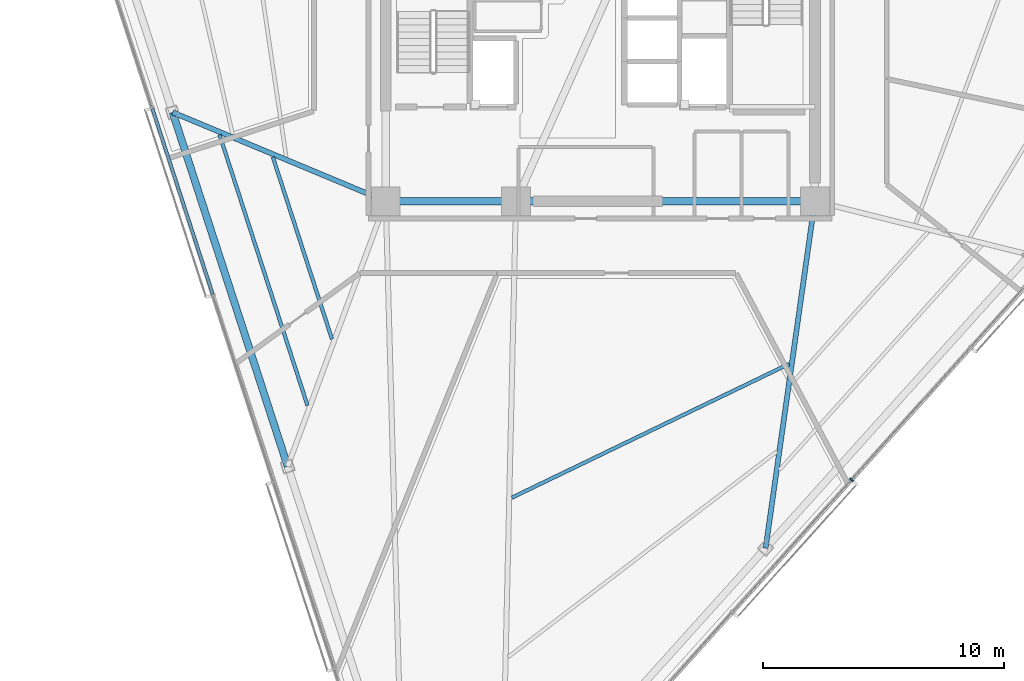
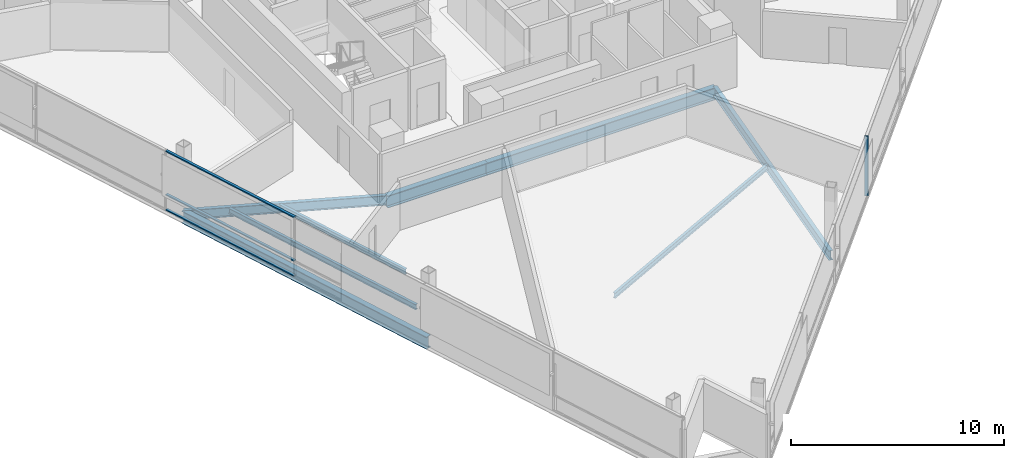
# One storey, part 3 of 17: 8 beams, 4 members, 2 elements without a shape of their own.
"""IFC4 building model written with IfcOpenShell, lengths in metres."""

from ifc_helpers import new_model, si_unit, direction, frame, origin, origin_2d, place, context, subcontext, project, spatial, rectangle, i_section, extrude, material, layer, layer_set, material_profile, profile_set, type_object, element, aggregate, save


model = new_model("IFC4")

# Units and contexts
model_context = context("Model", 3, precision=1e-05, world=origin(), true_north=direction((0.0, 1.0)))
body_context = subcontext(model_context, "Body", "Model", "MODEL_VIEW")
ifc_project = project(units=[si_unit("LENGTHUNIT", "METRE"), si_unit("AREAUNIT", "SQUARE_METRE"), si_unit("VOLUMEUNIT", "CUBIC_METRE"), si_unit("PLANEANGLEUNIT", "RADIAN"), si_unit("MASSUNIT", "GRAM", prefix="KILO")], contexts=[model_context])

# Site, building, storey
site_placement = place(None, origin())
site = spatial("IfcSite", under=ifc_project, at=site_placement, CompositionType="ELEMENT")
building_placement = place(site_placement, origin())
building = spatial("IfcBuilding", under=site, at=building_placement, Name="Tharavind Bronze Gate", CompositionType="ELEMENT")
storey_placement = place(building_placement, frame((0.0, 0.0, 207.64990234375)))
storey = spatial("IfcBuildingStorey", under=building, at=storey_placement, Name="L53", CompositionType="ELEMENT", Elevation=207.64990234375)

# Curtain wall, member
ifc_material_1 = material(Name="Anodised Bronze Aluminium", Category="aluminium")
ifc_layer = layer(ifc_material_1, 0.219970703125)
ifc_layer_set = layer_set([ifc_layer], Name="Anodised Bronze Aluminium")
curtain_wall_type = type_object("IfcCurtainWallType", Name="UNITISED CURTAIN WALL MID OFFICE", PredefinedType="USERDEFINED", material=ifc_layer_set)
curtain_wall_1_placement = place(storey_placement, origin())
curtain_wall_1 = element("IfcCurtainWall", 1, at=curtain_wall_1_placement, inside=storey, type_object=curtain_wall_type, Name="L53 unitised curtain wall mid office CW-L53-S2", ObjectType="UNITISED CURTAIN WALL", PredefinedType="USERDEFINED")
member_type_1 = type_object("IfcMemberType", Name="CURTAIN WALL BRONZE MULLION 65X180", PredefinedType="MULLION", material=ifc_material_1)
member_1_placement = place(storey_placement, frame((10.42138671875, -19.1552734375, 0.000244140625), z_axis=(0.0, 0.0, 1.0), x_axis=(0.669130606359, 0.743144825477, 0.0)))
member_1 = element("IfcMember", 2, at=member_1_placement, type_object=member_type_1, Name="CW-L53-S2 mullion 4", PredefinedType="MULLION", context=body_context, shape_type="SweptSolid", body=[
    extrude(rectangle(XDim=0.06494140625, YDim=0.179931640625, at=origin_2d()), origin(), (0.0, 0.0, 1.0), 3.419921875),
])
aggregate(curtain_wall_1, [member_1])

# Curtain wall, members
curtain_wall_2_placement = place(storey_placement, origin())
curtain_wall_2 = element("IfcCurtainWall", 3, at=curtain_wall_2_placement, inside=storey, type_object=curtain_wall_type, Name="L53 unitised curtain wall mid office CW-L53-S1", ObjectType="UNITISED CURTAIN WALL", PredefinedType="USERDEFINED")
member_type_2 = type_object("IfcMemberType", Name="CURTAIN WALL BRONZE TRANSOM 65X140", PredefinedType="USERDEFINED", material=ifc_material_1)
member_2_placement = place(storey_placement, frame((-17.32958984375, -7.61083984375, 0.000244140625), z_axis=(0.0, 0.0, 1.0), x_axis=(0.309016994375, -0.951056516295, 0.0)))
member_2 = element("IfcMember", 4, at=member_2_placement, type_object=member_type_2, Name="CW-L53-S1 transom TB3", ObjectType="TRANSOM", PredefinedType="USERDEFINED", context=body_context, shape_type="SweptSolid", body=[
    extrude(rectangle(XDim=8.102783203125, YDim=0.139892578125, at=origin_2d()), origin(), (0.0, 0.0, 1.0), 0.06494140625),
])
member_3_placement = place(storey_placement, frame((-17.32958984375, -7.61083984375, 0.86767578125), z_axis=(0.0, 0.0, 1.0), x_axis=(0.309016994375, -0.951056516295, 0.0)))
member_3 = element("IfcMember", 5, at=member_3_placement, type_object=member_type_2, Name="CW-L53-S1 transom TS3", ObjectType="TRANSOM", PredefinedType="USERDEFINED", context=body_context, shape_type="SweptSolid", body=[
    extrude(rectangle(XDim=8.102783203125, YDim=0.139892578125, at=origin_2d()), origin(), (0.0, 0.0, 1.0), 0.06494140625),
])
member_4_placement = place(storey_placement, frame((-17.32958984375, -7.61083984375, 3.355224609375), z_axis=(0.0, 0.0, 1.0), x_axis=(0.309016994375, -0.951056516295, 0.0)))
member_4 = element("IfcMember", 6, at=member_4_placement, type_object=member_type_2, Name="CW-L53-S1 transom TT3", ObjectType="TRANSOM", PredefinedType="USERDEFINED", context=body_context, shape_type="SweptSolid", body=[
    extrude(rectangle(XDim=8.102783203125, YDim=0.139892578125, at=origin_2d()), origin(), (0.0, 0.0, 1.0), 0.06494140625),
])
aggregate(curtain_wall_2, [member_2, member_3, member_4])

# Beams
ifc_material_2 = material(Name="Steel S355", Category="steel")
ifc_material_profile_1 = material_profile(ifc_material_2, i_section(OverallWidth=0.2099609375, OverallDepth=0.550048828125, WebThickness=0.010986328125, FlangeThickness=0.01708984375, at=origin_2d()), Name="IPE550")
ifc_profile_set_1 = profile_set([ifc_material_profile_1], Name="Steel S355")
beam_type_1 = type_object("IfcBeamType", Name="PRIMARY GIRDER IPE550", PredefinedType="USERDEFINED", material=ifc_profile_set_1)
beam_1_placement = place(storey_placement, frame((-17.74267578125, -3.91259765625, -0.454833984375), z_axis=(0.922965305367, -0.38488315771, 0.0), x_axis=(0.38488315771, 0.922965305367, 0.0)))
element("IfcBeam", 7, at=beam_1_placement, inside=storey, type_object=beam_type_1, Name="L53 primary girder ipe550 BM-L53-RAD02", ObjectType="GIRDER", PredefinedType="USERDEFINED", context=body_context, shape_type="SweptSolid", body=[
    extrude(i_section(OverallWidth=0.2099609375, OverallDepth=0.550048828125, WebThickness=0.010986328125, FlangeThickness=0.01708984375, at=origin_2d()), origin(), (0.0, 0.0, 1.0), 9.580810546875),
])
beam_2_placement = place(storey_placement, frame((6.857421875, -21.992431640625, -0.454833984375), z_axis=(0.140506642307, 0.990079735914, 0.0), x_axis=(-0.990079735914, 0.140506642307, 0.0)))
element("IfcBeam", 8, at=beam_2_placement, inside=storey, type_object=beam_type_1, Name="L53 primary girder ipe550 BM-L53-RAD06", ObjectType="GIRDER", PredefinedType="USERDEFINED", context=body_context, shape_type="SweptSolid", body=[
    extrude(i_section(OverallWidth=0.2099609375, OverallDepth=0.550048828125, WebThickness=0.010986328125, FlangeThickness=0.01708984375, at=origin_2d()), origin(), (0.0, 0.0, 1.0), 14.53662109375),
])
ifc_material_profile_2 = material_profile(ifc_material_2, i_section(OverallWidth=0.300048828125, OverallDepth=0.699951171875, WebThickness=0.01708984375, FlangeThickness=0.031982421875, at=origin_2d()), Name="HE700B")
ifc_profile_set_2 = profile_set([ifc_material_profile_2], Name="Steel S355")
beam_type_2 = type_object("IfcBeamType", Name="RING GIRDER HE700B", PredefinedType="USERDEFINED", material=ifc_profile_set_2)
beam_3_placement = place(storey_placement, frame((-8.89990234375, -7.60009765625, -0.52978515625), z_axis=(1.0, 0.0, 0.0), x_axis=(0.0, 1.0, 0.0)))
element("IfcBeam", 9, at=beam_3_placement, inside=storey, type_object=beam_type_2, Name="L53 ring girder he700b BM-L53-CR1", ObjectType="GIRDER", PredefinedType="USERDEFINED", context=body_context, shape_type="SweptSolid", body=[
    extrude(i_section(OverallWidth=0.300048828125, OverallDepth=0.699951171875, WebThickness=0.01708984375, FlangeThickness=0.031982421875, at=origin_2d()), origin(), (0.0, 0.0, 1.0), 5.39990234375),
])
beam_4_placement = place(storey_placement, frame((-3.5, -7.60009765625, -0.52978515625), z_axis=(1.0, 0.0, 0.0), x_axis=(0.0, 1.0, 0.0)))
element("IfcBeam", 10, at=beam_4_placement, inside=storey, type_object=beam_type_2, Name="L53 ring girder he700b BM-L53-CR2", ObjectType="GIRDER", PredefinedType="USERDEFINED", context=body_context, shape_type="SweptSolid", body=[
    extrude(i_section(OverallWidth=0.300048828125, OverallDepth=0.699951171875, WebThickness=0.01708984375, FlangeThickness=0.031982421875, at=origin_2d()), origin(), (0.0, 0.0, 1.0), 12.39990234375),
])
beam_5_placement = place(storey_placement, frame((-17.74267578125, -3.91259765625, -0.52978515625), z_axis=(0.309020307293, -0.951055439857, 0.0), x_axis=(0.951055439857, 0.309020307293, 0.0)))
element("IfcBeam", 11, at=beam_5_placement, inside=storey, type_object=beam_type_2, Name="L53 ring girder he700b BM-L53-PRG02", ObjectType="GIRDER", PredefinedType="USERDEFINED", context=body_context, shape_type="SweptSolid", body=[
    extrude(i_section(OverallWidth=0.300048828125, OverallDepth=0.699951171875, WebThickness=0.01708984375, FlangeThickness=0.031982421875, at=origin_2d()), origin(), (0.0, 0.0, 1.0), 15.4453125),
])
ifc_material_profile_3 = material_profile(ifc_material_2, i_section(OverallWidth=0.14990234375, OverallDepth=0.300048828125, WebThickness=0.007080078125, FlangeThickness=0.0107421875, at=origin_2d()), Name="IPE300")
ifc_profile_set_3 = profile_set([ifc_material_profile_3], Name="Steel S355")
beam_type_3 = type_object("IfcBeamType", Name="SECONDARY FLOOR JOIST IPE300", PredefinedType="JOIST", material=ifc_profile_set_3)
beam_6_placement = place(storey_placement, frame((-13.5869140625, -5.7626953125, -0.329833984375), z_axis=(0.309039532328, -0.951049192975, 0.0), x_axis=(0.951049192975, 0.309039532328, 0.0)))
element("IfcBeam", 12, at=beam_6_placement, inside=storey, type_object=beam_type_3, Name="L53 secondary floor joist ipe300 BM-L53-JSTA02", PredefinedType="JOIST", context=body_context, shape_type="SweptSolid", body=[
    extrude(i_section(OverallWidth=0.14990234375, OverallDepth=0.300048828125, WebThickness=0.007080078125, FlangeThickness=0.0107421875, at=origin_2d()), origin(), (0.0, 0.0, 1.0), 7.947265625),
])
beam_7_placement = place(storey_placement, frame((-15.79736328125, -4.8408203125, -0.329833984375), z_axis=(0.309005195331, -0.951060349956, 0.0), x_axis=(0.951060349956, 0.309005195331, 0.0)))
element("IfcBeam", 13, at=beam_7_placement, inside=storey, type_object=beam_type_3, Name="L53 secondary floor joist ipe300 BM-L53-JSTB02", PredefinedType="JOIST", context=body_context, shape_type="SweptSolid", body=[
    extrude(i_section(OverallWidth=0.14990234375, OverallDepth=0.300048828125, WebThickness=0.007080078125, FlangeThickness=0.0107421875, at=origin_2d()), origin(), (0.0, 0.0, 1.0), 11.80859375),
])
beam_8_placement = place(storey_placement, frame((-3.66943359375, -19.8984375, -0.329833984375), z_axis=(0.900657941829, 0.434528792855, 0.0), x_axis=(-0.434528792855, 0.900657941829, 0.0)))
element("IfcBeam", 14, at=beam_8_placement, inside=storey, type_object=beam_type_3, Name="L53 secondary floor joist ipe300 BM-L53-JSTA05", PredefinedType="JOIST", context=body_context, shape_type="SweptSolid", body=[
    extrude(i_section(OverallWidth=0.14990234375, OverallDepth=0.300048828125, WebThickness=0.007080078125, FlangeThickness=0.0107421875, at=origin_2d()), origin(), (0.0, 0.0, 1.0), 12.77099609375),
])

save(model, "model.ifc")
